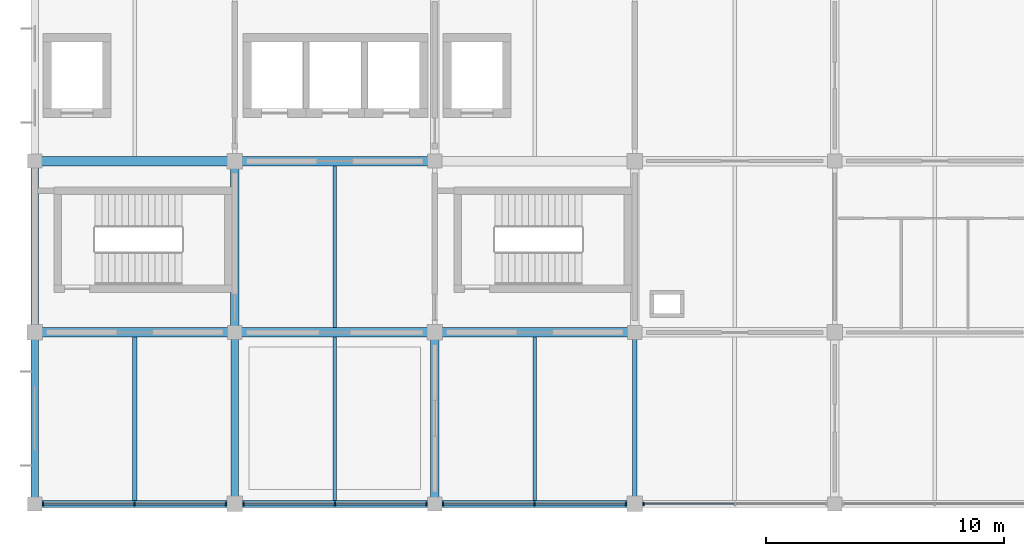
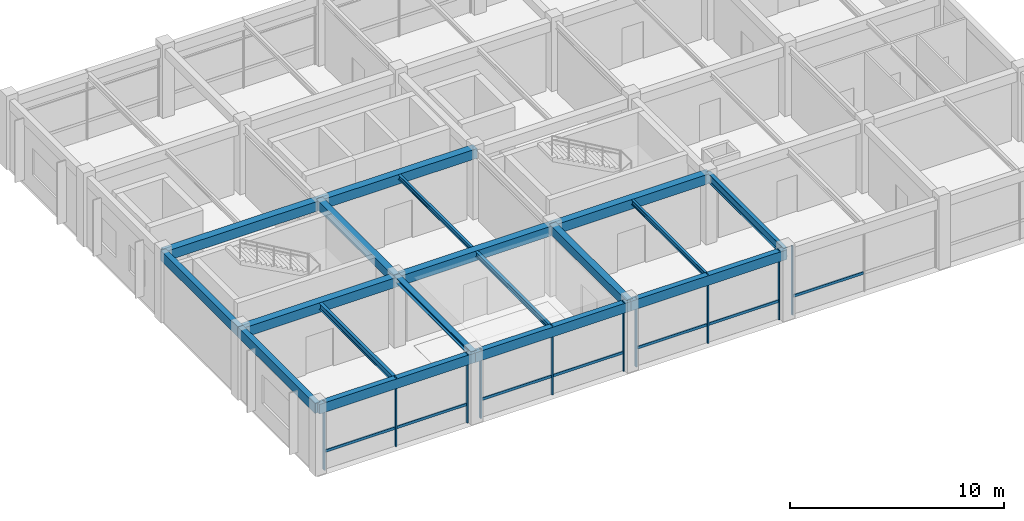
# One storey, part 2 of 11: 18 beams, 17 members, 4 elements without a shape of their own.
"""IFC4 building model written with IfcOpenShell, lengths in metres."""

from ifc_helpers import new_model, si_unit, derived_unit, direction, frame, origin, origin_2d, place, context, subcontext, project, spatial, rectangle, i_section, extrude, material, material_profile, profile_set, type_object, element, aggregate, save


model = new_model("IFC4")

# Units and contexts
model_context = context("Model", 3, precision=1e-05, world=origin(), true_north=direction((0.0, 1.0)))
body_context = subcontext(model_context, "Body", "Model", "MODEL_VIEW")
ifc_project = project(units=[si_unit("LENGTHUNIT", "METRE"), si_unit("AREAUNIT", "SQUARE_METRE"), si_unit("VOLUMEUNIT", "CUBIC_METRE"), si_unit("PLANEANGLEUNIT", "RADIAN"), si_unit("MASSUNIT", "GRAM", prefix="KILO"), derived_unit("THERMALTRANSMITTANCEUNIT", [(si_unit("MASSUNIT", "GRAM", prefix="KILO"), 1), (si_unit("TIMEUNIT", "SECOND"), -3), (si_unit("THERMODYNAMICTEMPERATUREUNIT", "KELVIN"), -1)])], contexts=[model_context])

# Site, building, storey
site_placement = place(None, origin())
site = spatial("IfcSite", under=ifc_project, at=site_placement, CompositionType="ELEMENT")
building_placement = place(site_placement, origin())
building = spatial("IfcBuilding", under=site, at=building_placement, Name="Veldstrom Oceanarium and Marine Research Institute", CompositionType="ELEMENT")
storey_placement = place(building_placement, frame((0.0, 0.0, 48.0)))
storey = spatial("IfcBuildingStorey", under=building, at=storey_placement, Name="L10", CompositionType="ELEMENT", Elevation=48.0)

# Curtain wall, members
ifc_material_1 = material(Name="Anodised Aluminium Framing", Category="aluminium")
curtain_wall_type = type_object("IfcCurtainWallType", Name="ARC-CW-CW04", PredefinedType="USERDEFINED", material=ifc_material_1)
curtain_wall_1_placement = place(storey_placement, origin())
curtain_wall_1 = element("IfcCurtainWall", 1, at=curtain_wall_1_placement, inside=storey, type_object=curtain_wall_type, Name="Curtain Wall CW04 CW-L10-141", ObjectType="Curtain wall", PredefinedType="USERDEFINED")
ifc_material_2 = material(Name="Anodised Aluminium Framing", Category="aluminium")
ifc_material_profile_1 = material_profile(ifc_material_2, rectangle(XDim=0.06494140625, YDim=0.14990234375, at=origin_2d()), Name="ALU-MUL-65x150")
ifc_profile_set_1 = profile_set([ifc_material_profile_1], Name="Anodised Aluminium Framing")
member_type_1 = type_object("IfcMemberType", Name="ARC-MUL-ML2", PredefinedType="MULLION", material=ifc_profile_set_1)
member_1_placement = place(storey_placement, frame((75.93994140625, 43.199951171875, 0.0), z_axis=(0.0, 0.0, 1.0), x_axis=(1.0, 0.0, 0.0)))
member_1 = element("IfcMember", 2, at=member_1_placement, type_object=member_type_1, Name="Curtain Wall Mullion CW-L10-141-MUL-1", PredefinedType="MULLION", context=body_context, shape_type="SweptSolid", body=[
    extrude(rectangle(XDim=0.06494140625, YDim=0.14990234375, at=origin_2d()), origin(), (0.0, 0.0, 1.0), 3.919921875),
])
member_2_placement = place(storey_placement, frame((79.78759765625, 43.199951171875, 0.0), z_axis=(0.0, 0.0, 1.0), x_axis=(1.0, 0.0, 0.0)))
member_2 = element("IfcMember", 3, at=member_2_placement, type_object=member_type_1, Name="Curtain Wall Mullion CW-L10-141-MUL-2", PredefinedType="MULLION", context=body_context, shape_type="SweptSolid", body=[
    extrude(rectangle(XDim=0.06494140625, YDim=0.14990234375, at=origin_2d()), origin(), (0.0, 0.0, 1.0), 3.919921875),
])
member_3_placement = place(storey_placement, frame((83.635009765625, 43.199951171875, 0.0), z_axis=(0.0, 0.0, 1.0), x_axis=(1.0, 0.0, 0.0)))
member_3 = element("IfcMember", 4, at=member_3_placement, type_object=member_type_1, Name="Curtain Wall Mullion CW-L10-141-MUL-3", PredefinedType="MULLION", context=body_context, shape_type="SweptSolid", body=[
    extrude(rectangle(XDim=0.06494140625, YDim=0.14990234375, at=origin_2d()), origin(), (0.0, 0.0, 1.0), 3.919921875),
])

curtain_wall_2_placement = place(storey_placement, origin())
curtain_wall_2 = element("IfcCurtainWall", 5, at=curtain_wall_2_placement, inside=storey, type_object=curtain_wall_type, Name="Curtain Wall CW04 CW-L10-143", ObjectType="Curtain wall", PredefinedType="USERDEFINED")
member_4_placement = place(storey_placement, frame((84.364990234375, 43.199951171875, 0.0), z_axis=(0.0, 0.0, 1.0), x_axis=(1.0, 0.0, 0.0)))
member_4 = element("IfcMember", 6, at=member_4_placement, type_object=member_type_1, Name="Curtain Wall Mullion CW-L10-143-MUL-1", PredefinedType="MULLION", context=body_context, shape_type="SweptSolid", body=[
    extrude(rectangle(XDim=0.06494140625, YDim=0.14990234375, at=origin_2d()), origin(), (0.0, 0.0, 1.0), 3.919921875),
])
member_5_placement = place(storey_placement, frame((88.21240234375, 43.199951171875, 0.0), z_axis=(0.0, 0.0, 1.0), x_axis=(1.0, 0.0, 0.0)))
member_5 = element("IfcMember", 7, at=member_5_placement, type_object=member_type_1, Name="Curtain Wall Mullion CW-L10-143-MUL-2", PredefinedType="MULLION", context=body_context, shape_type="SweptSolid", body=[
    extrude(rectangle(XDim=0.06494140625, YDim=0.14990234375, at=origin_2d()), origin(), (0.0, 0.0, 1.0), 3.919921875),
])
member_6_placement = place(storey_placement, frame((92.06005859375, 43.199951171875, 0.0), z_axis=(0.0, 0.0, 1.0), x_axis=(1.0, 0.0, 0.0)))
member_6 = element("IfcMember", 8, at=member_6_placement, type_object=member_type_1, Name="Curtain Wall Mullion CW-L10-143-MUL-3", PredefinedType="MULLION", context=body_context, shape_type="SweptSolid", body=[
    extrude(rectangle(XDim=0.06494140625, YDim=0.14990234375, at=origin_2d()), origin(), (0.0, 0.0, 1.0), 3.919921875),
])

curtain_wall_3_placement = place(storey_placement, origin())
curtain_wall_3 = element("IfcCurtainWall", 9, at=curtain_wall_3_placement, inside=storey, type_object=curtain_wall_type, Name="Curtain Wall CW04 CW-L10-145", ObjectType="Curtain wall", PredefinedType="USERDEFINED")
member_7_placement = place(storey_placement, frame((92.739990234375, 43.199951171875, 0.0), z_axis=(0.0, 0.0, 1.0), x_axis=(1.0, 0.0, 0.0)))
member_7 = element("IfcMember", 10, at=member_7_placement, type_object=member_type_1, Name="Curtain Wall Mullion CW-L10-145-MUL-1", PredefinedType="MULLION", context=body_context, shape_type="SweptSolid", body=[
    extrude(rectangle(XDim=0.06494140625, YDim=0.14990234375, at=origin_2d()), origin(), (0.0, 0.0, 1.0), 3.919921875),
])
member_8_placement = place(storey_placement, frame((96.58740234375, 43.199951171875, 0.0), z_axis=(0.0, 0.0, 1.0), x_axis=(1.0, 0.0, 0.0)))
member_8 = element("IfcMember", 11, at=member_8_placement, type_object=member_type_1, Name="Curtain Wall Mullion CW-L10-145-MUL-2", PredefinedType="MULLION", context=body_context, shape_type="SweptSolid", body=[
    extrude(rectangle(XDim=0.06494140625, YDim=0.14990234375, at=origin_2d()), origin(), (0.0, 0.0, 1.0), 3.919921875),
])
member_9_placement = place(storey_placement, frame((100.43505859375, 43.199951171875, 0.0), z_axis=(0.0, 0.0, 1.0), x_axis=(1.0, 0.0, 0.0)))
member_9 = element("IfcMember", 12, at=member_9_placement, type_object=member_type_1, Name="Curtain Wall Mullion CW-L10-145-MUL-3", PredefinedType="MULLION", context=body_context, shape_type="SweptSolid", body=[
    extrude(rectangle(XDim=0.06494140625, YDim=0.14990234375, at=origin_2d()), origin(), (0.0, 0.0, 1.0), 3.919921875),
])

# Curtain wall, member
curtain_wall_4_placement = place(storey_placement, origin())
curtain_wall_4 = element("IfcCurtainWall", 13, at=curtain_wall_4_placement, inside=storey, type_object=curtain_wall_type, Name="Curtain Wall CW04 CW-L10-147", ObjectType="Curtain wall", PredefinedType="USERDEFINED")
member_10_placement = place(storey_placement, frame((101.1650390625, 43.199951171875, 0.0), z_axis=(0.0, 0.0, 1.0), x_axis=(1.0, 0.0, 0.0)))
member_10 = element("IfcMember", 14, at=member_10_placement, type_object=member_type_1, Name="Curtain Wall Mullion CW-L10-147-MUL-1", PredefinedType="MULLION", context=body_context, shape_type="SweptSolid", body=[
    extrude(rectangle(XDim=0.06494140625, YDim=0.14990234375, at=origin_2d()), origin(), (0.0, 0.0, 1.0), 3.919921875),
])

# Member
ifc_material_3 = material(Name="Anodised Aluminium Framing", Category="aluminium")
ifc_material_profile_2 = material_profile(ifc_material_3, rectangle(XDim=0.074951171875, YDim=0.14990234375, at=origin_2d()), Name="ALU-TRN-75x150")
ifc_profile_set_2 = profile_set([ifc_material_profile_2], Name="Anodised Aluminium Framing")
member_type_2 = type_object("IfcMemberType", Name="ARC-TRN-TR1", PredefinedType="USERDEFINED", material=ifc_profile_set_2)
member_11_placement = place(storey_placement, frame((75.97998046875, 43.199951171875, 1.050048828125), z_axis=(1.0, 0.0, 0.0), x_axis=(0.0, 1.0, 0.0)))
member_11 = element("IfcMember", 15, at=member_11_placement, type_object=member_type_2, Name="Curtain Wall Transom CW-L10-141-TRN-1", ObjectType="Transom", PredefinedType="USERDEFINED", context=body_context, shape_type="SweptSolid", body=[
    extrude(rectangle(XDim=0.074951171875, YDim=0.14990234375, at=origin_2d()), origin(), (0.0, 0.0, 1.0), 3.767578125),
])

member_12_placement = place(storey_placement, frame((79.827392578125, 43.199951171875, 1.050048828125), z_axis=(1.0, 0.0, 0.0), x_axis=(0.0, 1.0, 0.0)))
member_12 = element("IfcMember", 16, at=member_12_placement, type_object=member_type_2, Name="Curtain Wall Transom CW-L10-141-TRN-2", ObjectType="Transom", PredefinedType="USERDEFINED", context=body_context, shape_type="SweptSolid", body=[
    extrude(rectangle(XDim=0.074951171875, YDim=0.14990234375, at=origin_2d()), origin(), (0.0, 0.0, 1.0), 3.767578125),
])

aggregate(curtain_wall_1, [member_1, member_2, member_3, member_11, member_12])

member_13_placement = place(storey_placement, frame((84.405029296875, 43.199951171875, 1.050048828125), z_axis=(1.0, 0.0, 0.0), x_axis=(0.0, 1.0, 0.0)))
member_13 = element("IfcMember", 17, at=member_13_placement, type_object=member_type_2, Name="Curtain Wall Transom CW-L10-143-TRN-1", ObjectType="Transom", PredefinedType="USERDEFINED", context=body_context, shape_type="SweptSolid", body=[
    extrude(rectangle(XDim=0.074951171875, YDim=0.14990234375, at=origin_2d()), origin(), (0.0, 0.0, 1.0), 3.767578125),
])

member_14_placement = place(storey_placement, frame((88.25244140625, 43.199951171875, 1.050048828125), z_axis=(1.0, 0.0, 0.0), x_axis=(0.0, 1.0, 0.0)))
member_14 = element("IfcMember", 18, at=member_14_placement, type_object=member_type_2, Name="Curtain Wall Transom CW-L10-143-TRN-2", ObjectType="Transom", PredefinedType="USERDEFINED", context=body_context, shape_type="SweptSolid", body=[
    extrude(rectangle(XDim=0.074951171875, YDim=0.14990234375, at=origin_2d()), origin(), (0.0, 0.0, 1.0), 3.767578125),
])

aggregate(curtain_wall_2, [member_4, member_5, member_6, member_13, member_14])

member_15_placement = place(storey_placement, frame((92.780029296875, 43.199951171875, 1.050048828125), z_axis=(1.0, 0.0, 0.0), x_axis=(0.0, 1.0, 0.0)))
member_15 = element("IfcMember", 19, at=member_15_placement, type_object=member_type_2, Name="Curtain Wall Transom CW-L10-145-TRN-1", ObjectType="Transom", PredefinedType="USERDEFINED", context=body_context, shape_type="SweptSolid", body=[
    extrude(rectangle(XDim=0.074951171875, YDim=0.14990234375, at=origin_2d()), origin(), (0.0, 0.0, 1.0), 3.767578125),
])

member_16_placement = place(storey_placement, frame((96.62744140625, 43.199951171875, 1.050048828125), z_axis=(1.0, 0.0, 0.0), x_axis=(0.0, 1.0, 0.0)))
member_16 = element("IfcMember", 20, at=member_16_placement, type_object=member_type_2, Name="Curtain Wall Transom CW-L10-145-TRN-2", ObjectType="Transom", PredefinedType="USERDEFINED", context=body_context, shape_type="SweptSolid", body=[
    extrude(rectangle(XDim=0.074951171875, YDim=0.14990234375, at=origin_2d()), origin(), (0.0, 0.0, 1.0), 3.767578125),
])

aggregate(curtain_wall_3, [member_7, member_8, member_9, member_15, member_16])

member_17_placement = place(storey_placement, frame((101.205078125, 43.199951171875, 1.050048828125), z_axis=(1.0, 0.0, 0.0), x_axis=(0.0, 1.0, 0.0)))
member_17 = element("IfcMember", 21, at=member_17_placement, type_object=member_type_2, Name="Curtain Wall Transom CW-L10-147-TRN-1", ObjectType="Transom", PredefinedType="USERDEFINED", context=body_context, shape_type="SweptSolid", body=[
    extrude(rectangle(XDim=0.074951171875, YDim=0.14990234375, at=origin_2d()), origin(), (0.0, 0.0, 1.0), 3.767333984375),
])

aggregate(curtain_wall_4, [member_10, member_17])

# Beams
ifc_material_4 = material(Name="Concrete C40/50", Category="concrete")
ifc_material_profile_3 = material_profile(ifc_material_4, rectangle(XDim=0.39990234375, YDim=0.550048828125, at=origin_2d()), Name="RC-BM-400x550")
ifc_profile_set_3 = profile_set([ifc_material_profile_3], Name="Concrete C40/50")
beam_type_1 = type_object("IfcBeamType", Name="STR-BM-B07", PredefinedType="BEAM", material=ifc_profile_set_3)
for number, where, z_axis, x_axis, name in (
    (22, (75.60009765625, 50.39990234375, 3.639892578125), (1.0, 0.0, 0.0), (0.0, 1.0, 0.0), "Primary Beam B07 L10-2540"),
    (23, (75.60009765625, 57.60009765625, 3.639892578125), (1.0, 0.0, 0.0), (0.0, 1.0, 0.0), "Primary Beam B07 L10-2541"),
    (24, (84.0, 50.39990234375, 3.639892578125), (1.0, 0.0, 0.0), (0.0, 1.0, 0.0), "Primary Beam B07 L10-2545"),
    (25, (84.0, 57.60009765625, 3.639892578125), (1.0, 0.0, 0.0), (0.0, 1.0, 0.0), "Primary Beam B07 L10-2546"),
):
    element("IfcBeam", number, at=place(storey_placement, frame(where, z_axis=z_axis, x_axis=x_axis)), inside=storey, type_object=beam_type_1, Name=name, PredefinedType="BEAM", context=body_context, shape_type="SweptSolid", body=[
        extrude(rectangle(XDim=0.39990234375, YDim=0.550048828125, at=origin_2d()), origin(), (0.0, 0.0, 1.0), 8.39990234375),
    ])
beam_1_placement = place(storey_placement, frame((92.39990234375, 50.39990234375, 3.639892578125), z_axis=(1.0, 0.0, 0.0), x_axis=(0.0, 1.0, 0.0)))
element("IfcBeam", 26, at=beam_1_placement, inside=storey, type_object=beam_type_1, Name="Primary Beam B07 L10-2550", PredefinedType="BEAM", context=body_context, shape_type="SweptSolid", body=[
    extrude(rectangle(XDim=0.39990234375, YDim=0.550048828125, at=origin_2d()), origin(), (0.0, 0.0, 1.0), 8.400146484375),
])
ifc_material_5 = material(Name="Concrete C40/50", Category="concrete")
ifc_material_profile_4 = material_profile(ifc_material_5, rectangle(XDim=0.35009765625, YDim=0.5, at=origin_2d()), Name="RC-BM-350x500")
ifc_profile_set_4 = profile_set([ifc_material_profile_4], Name="Concrete C40/50")
beam_type_2 = type_object("IfcBeamType", Name="STR-BM-B08", PredefinedType="BEAM", material=ifc_profile_set_4)
beam_2_placement = place(storey_placement, frame((84.0, 50.39990234375, 3.6650390625), z_axis=(0.0, 1.0, 0.0), x_axis=(-1.0, 0.0, 0.0)))
element("IfcBeam", 27, at=beam_2_placement, inside=storey, type_object=beam_type_2, Name="Primary Beam B08 L10-2569", PredefinedType="BEAM", context=body_context, shape_type="SweptSolid", body=[
    extrude(rectangle(XDim=0.35009765625, YDim=0.5, at=origin_2d()), origin(), (0.0, 0.0, 1.0), 7.2001953125),
])
beam_3_placement = place(storey_placement, frame((92.39990234375, 43.199951171875, 3.6650390625), z_axis=(0.0, 1.0, 0.0), x_axis=(-1.0, 0.0, 0.0)))
element("IfcBeam", 28, at=beam_3_placement, inside=storey, type_object=beam_type_2, Name="Primary Beam B08 L10-2572", PredefinedType="BEAM", context=body_context, shape_type="SweptSolid", body=[
    extrude(rectangle(XDim=0.35009765625, YDim=0.5, at=origin_2d()), origin(), (0.0, 0.0, 1.0), 7.199951171875),
])
ifc_material_6 = material(Name="Steel S355JR", Category="steel")
ifc_material_profile_5 = material_profile(ifc_material_6, i_section(OverallWidth=0.300048828125, OverallDepth=0.2900390625, WebThickness=0.008544921875, FlangeThickness=0.013916015625, FilletRadius=0.027099609375, at=origin_2d()), Name="HEA 300")
ifc_profile_set_5 = profile_set([ifc_material_profile_5], Name="Steel S355JR")
beam_type_3 = type_object("IfcBeamType", Name="STR-BM-SB10", PredefinedType="BEAM", material=ifc_profile_set_5)
beam_4_placement = place(storey_placement, frame((84.0, 43.199951171875, 3.77001953125), z_axis=(0.0, 1.0, 0.0), x_axis=(-1.0, 0.0, 0.0)))
element("IfcBeam", 29, at=beam_4_placement, inside=storey, type_object=beam_type_3, Name="Steel Tie Beam SB10 L10-2568", PredefinedType="BEAM", context=body_context, shape_type="SweptSolid", body=[
    extrude(i_section(OverallWidth=0.300048828125, OverallDepth=0.2900390625, WebThickness=0.008544921875, FlangeThickness=0.013916015625, FilletRadius=0.027099609375, at=origin_2d()), origin(), (0.0, 0.0, 1.0), 7.199951171875),
])
ifc_material_7 = material(Name="Steel S355JR", Category="steel")
ifc_material_profile_6 = material_profile(ifc_material_7, i_section(OverallWidth=0.199951171875, OverallDepth=0.5, WebThickness=0.01025390625, FlangeThickness=0.01611328125, FilletRadius=0.02099609375, at=origin_2d()), Name="IPE 500")
ifc_profile_set_6 = profile_set([ifc_material_profile_6], Name="Steel S355JR")
beam_type_4 = type_object("IfcBeamType", Name="STR-BM-SB6", PredefinedType="BEAM", material=ifc_profile_set_6)
beam_5_placement = place(storey_placement, frame((100.800048828125, 43.199951171875, 3.6650390625), z_axis=(0.0, 1.0, 0.0), x_axis=(-1.0, 0.0, 0.0)))
element("IfcBeam", 30, at=beam_5_placement, inside=storey, type_object=beam_type_4, Name="Steel Tie Beam SB6 L10-2576", PredefinedType="BEAM", context=body_context, shape_type="SweptSolid", body=[
    extrude(i_section(OverallWidth=0.199951171875, OverallDepth=0.5, WebThickness=0.01025390625, FlangeThickness=0.01611328125, FilletRadius=0.02099609375, at=origin_2d()), origin(), (0.0, 0.0, 1.0), 7.199951171875),
])
ifc_material_8 = material(Name="Steel S355JR", Category="steel")
ifc_material_profile_7 = material_profile(ifc_material_8, i_section(OverallWidth=0.169921875, OverallDepth=0.360107421875, WebThickness=0.008056640625, FlangeThickness=0.0126953125, FilletRadius=0.01806640625, at=origin_2d()), Name="IPE 360")
ifc_profile_set_7 = profile_set([ifc_material_profile_7], Name="Steel S355JR")
beam_type_5 = type_object("IfcBeamType", Name="STR-JST-SJ1", PredefinedType="JOIST", material=ifc_profile_set_7)
beam_6_placement = place(storey_placement, frame((79.800048828125, 43.35009765625, 3.735107421875), z_axis=(0.0, 1.0, 0.0), x_axis=(-1.0, 0.0, 0.0)))
element("IfcBeam", 31, at=beam_6_placement, inside=storey, type_object=beam_type_5, Name="Secondary Joist SJ1 L10-2588", PredefinedType="JOIST", context=body_context, shape_type="SweptSolid", body=[
    extrude(i_section(OverallWidth=0.169921875, OverallDepth=0.360107421875, WebThickness=0.008056640625, FlangeThickness=0.0126953125, FilletRadius=0.01806640625, at=origin_2d()), origin(), (0.0, 0.0, 1.0), 6.849853515625),
])
ifc_material_9 = material(Name="Steel S355JR", Category="steel")
ifc_material_profile_8 = material_profile(ifc_material_9, i_section(OverallWidth=0.14990234375, OverallDepth=0.300048828125, WebThickness=0.007080078125, FlangeThickness=0.0107421875, FilletRadius=0.014892578125, at=origin_2d()), Name="IPE 300")
ifc_profile_set_8 = profile_set([ifc_material_profile_8], Name="Steel S355JR")
beam_type_6 = type_object("IfcBeamType", Name="STR-JST-SJ2", PredefinedType="JOIST", material=ifc_profile_set_8)
beam_7_placement = place(storey_placement, frame((88.199951171875, 43.35009765625, 3.764892578125), z_axis=(0.0, 1.0, 0.0), x_axis=(-1.0, 0.0, 0.0)))
element("IfcBeam", 32, at=beam_7_placement, inside=storey, type_object=beam_type_6, Name="Secondary Joist SJ2 L10-2591", PredefinedType="JOIST", context=body_context, shape_type="SweptSolid", body=[
    extrude(i_section(OverallWidth=0.14990234375, OverallDepth=0.300048828125, WebThickness=0.007080078125, FlangeThickness=0.0107421875, FilletRadius=0.014892578125, at=origin_2d()), origin(), (0.0, 0.0, 1.0), 6.849853515625),
])
ifc_material_10 = material(Name="Steel S355JR", Category="steel")
ifc_material_profile_9 = material_profile(ifc_material_10, i_section(OverallWidth=0.135009765625, OverallDepth=0.27001953125, WebThickness=0.006591796875, FlangeThickness=0.01025390625, FilletRadius=0.014892578125, at=origin_2d()), Name="IPE 270")
ifc_profile_set_9 = profile_set([ifc_material_profile_9], Name="Steel S355JR")
beam_type_7 = type_object("IfcBeamType", Name="STR-JST-SJ3", PredefinedType="JOIST", material=ifc_profile_set_9)
beam_8_placement = place(storey_placement, frame((88.199951171875, 50.60009765625, 3.780029296875), z_axis=(0.0, 1.0, 0.0), x_axis=(-1.0, 0.0, 0.0)))
element("IfcBeam", 33, at=beam_8_placement, inside=storey, type_object=beam_type_7, Name="Secondary Joist SJ3 L10-2592", PredefinedType="JOIST", context=body_context, shape_type="SweptSolid", body=[
    extrude(i_section(OverallWidth=0.135009765625, OverallDepth=0.27001953125, WebThickness=0.006591796875, FlangeThickness=0.01025390625, FilletRadius=0.014892578125, at=origin_2d()), origin(), (0.0, 0.0, 1.0), 6.7998046875),
])
beam_9_placement = place(storey_placement, frame((96.60009765625, 43.35009765625, 3.780029296875), z_axis=(0.0, 1.0, 0.0), x_axis=(-1.0, 0.0, 0.0)))
element("IfcBeam", 34, at=beam_9_placement, inside=storey, type_object=beam_type_7, Name="Secondary Joist SJ3 L10-2594", PredefinedType="JOIST", context=body_context, shape_type="SweptSolid", body=[
    extrude(i_section(OverallWidth=0.135009765625, OverallDepth=0.27001953125, WebThickness=0.006591796875, FlangeThickness=0.01025390625, FilletRadius=0.014892578125, at=origin_2d()), origin(), (0.0, 0.0, 1.0), 6.849853515625),
])
ifc_material_11 = material(Name="Concrete C40/50", Category="concrete")
ifc_material_profile_10 = material_profile(ifc_material_11, rectangle(XDim=0.300048828125, YDim=0.550048828125, at=origin_2d()), Name="RC-SPN-300x550")
ifc_profile_set_10 = profile_set([ifc_material_profile_10], Name="Concrete C40/50")
beam_type_8 = type_object("IfcBeamType", Name="STR-SPN-SP2", PredefinedType="SPANDREL", material=ifc_profile_set_10)
for number, where, z_axis, x_axis, name in (
    (35, (75.60009765625, 43.199951171875, 3.639892578125), (1.0, 0.0, 0.0), (0.0, 1.0, 0.0), "Perimeter Spandrel SPB2 L10-2539"),
    (36, (84.0, 43.199951171875, 3.639892578125), (1.0, 0.0, 0.0), (0.0, 1.0, 0.0), "Perimeter Spandrel SPB2 L10-2544"),
):
    element("IfcBeam", number, at=place(storey_placement, frame(where, z_axis=z_axis, x_axis=x_axis)), inside=storey, type_object=beam_type_8, Name=name, PredefinedType="SPANDREL", context=body_context, shape_type="SweptSolid", body=[
        extrude(rectangle(XDim=0.300048828125, YDim=0.550048828125, at=origin_2d()), origin(), (0.0, 0.0, 1.0), 8.39990234375),
    ])
beam_10_placement = place(storey_placement, frame((92.39990234375, 43.199951171875, 3.639892578125), z_axis=(1.0, 0.0, 0.0), x_axis=(0.0, 1.0, 0.0)))
element("IfcBeam", 37, at=beam_10_placement, inside=storey, type_object=beam_type_8, Name="Perimeter Spandrel SPB2 L10-2549", PredefinedType="SPANDREL", context=body_context, shape_type="SweptSolid", body=[
    extrude(rectangle(XDim=0.300048828125, YDim=0.550048828125, at=origin_2d()), origin(), (0.0, 0.0, 1.0), 8.400146484375),
])
beam_11_placement = place(storey_placement, frame((75.60009765625, 43.199951171875, 3.639892578125), z_axis=(0.0, 1.0, 0.0), x_axis=(-1.0, 0.0, 0.0)))
element("IfcBeam", 38, at=beam_11_placement, inside=storey, type_object=beam_type_8, Name="Perimeter Spandrel SPB2 L10-2564", PredefinedType="SPANDREL", context=body_context, shape_type="SweptSolid", body=[
    extrude(rectangle(XDim=0.300048828125, YDim=0.550048828125, at=origin_2d()), origin(), (0.0, 0.0, 1.0), 7.199951171875),
])
beam_12_placement = place(storey_placement, frame((75.60009765625, 50.39990234375, 3.639892578125), z_axis=(0.0, 1.0, 0.0), x_axis=(-1.0, 0.0, 0.0)))
element("IfcBeam", 39, at=beam_12_placement, inside=storey, type_object=beam_type_8, Name="Perimeter Spandrel SPB2 L10-2565", PredefinedType="SPANDREL", context=body_context, shape_type="SweptSolid", body=[
    extrude(rectangle(XDim=0.300048828125, YDim=0.550048828125, at=origin_2d()), origin(), (0.0, 0.0, 1.0), 7.2001953125),
])

save(model, "model.ifc")
